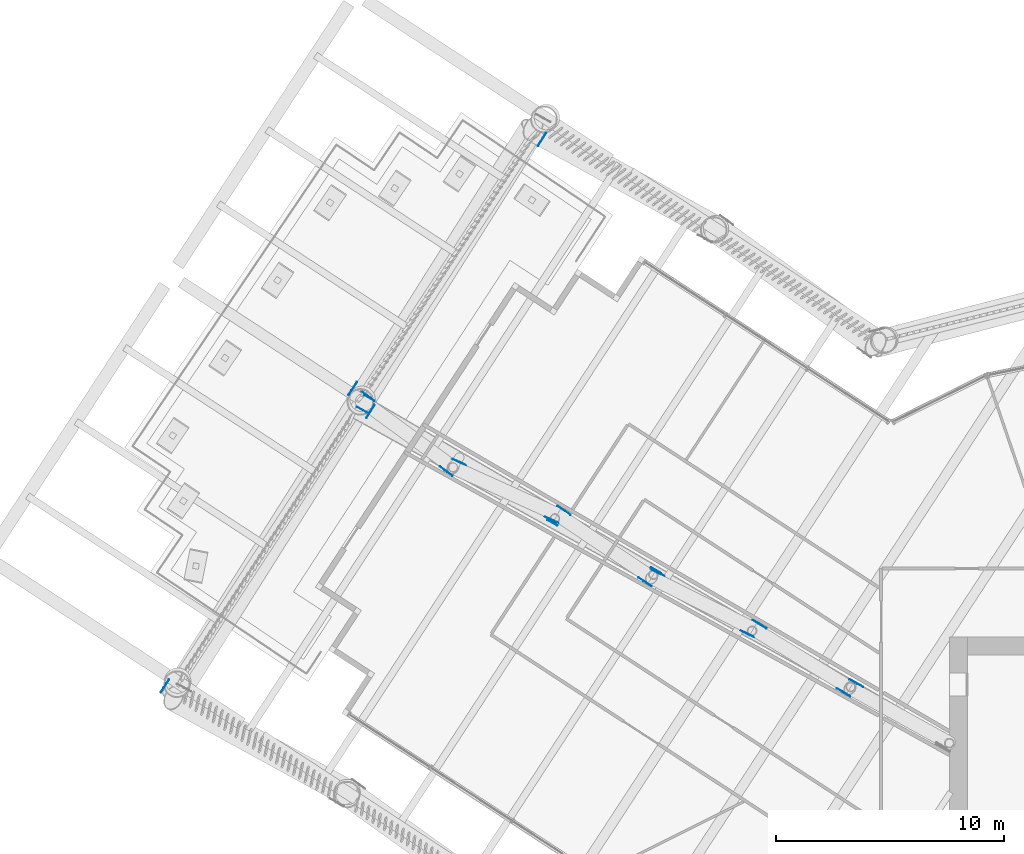
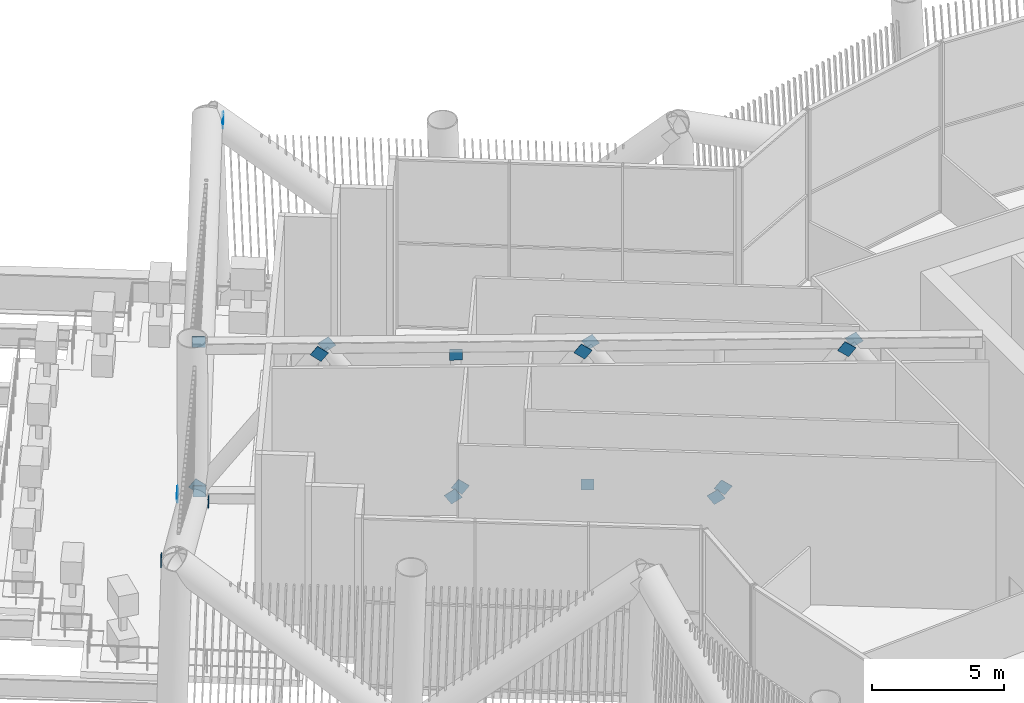
# One storey, part 48 of 63: 19 discrete accessories.
"""IFC4 building model written with IfcOpenShell, lengths in metres."""

import ifcopenshell
import ifcopenshell.guid

model = None  # the IFC model being written
_history = None  # IfcOwnerHistory: only IFC2X3 demands one
_inside = {}  # id of a spatial element -> (the spatial element, [elements in it])
_under = {}  # id of a project, library or spatial element -> (it, [spatial elements below it])
_declared = {}  # id of a project -> (the project, [libraries it declares])
_typed = {}  # id of a type object -> (the type object, [elements of that type])
_made_of = {}  # id of a material, layer set ... -> (it, [elements and type objects made of it])


def new_model(schema):
    """Start an empty IFC model of exactly this schema.

    Asked for "IFC4X3", IfcOpenShell would pick the latest addendum, in which some entities
    have other attributes; the version numbers below select the first issue.
    IFC2X3 requires an IfcOwnerHistory on every rooted entity: one is made here for all.
    """
    global model, _history
    if schema == "IFC4X3":
        model = ifcopenshell.file(schema_version=(4, 3, 0, 0))
    else:
        model = ifcopenshell.file(schema=schema)
    _inside.clear()
    _under.clear()
    _declared.clear()
    _typed.clear()
    _made_of.clear()
    _history = None
    if model.schema == "IFC2X3":
        org = make("IfcOrganization", Name="unknown")
        user = make(
            "IfcPersonAndOrganization",
            ThePerson=make("IfcPerson", FamilyName="unknown"),
            TheOrganization=org,
        )
        app = make(
            "IfcApplication",
            ApplicationDeveloper=org,
            Version="unknown",
            ApplicationFullName="unknown",
            ApplicationIdentifier="unknown",
        )
        _history = make(
            "IfcOwnerHistory",
            OwningUser=user,
            OwningApplication=app,
            ChangeAction="ADDED",
            CreationDate=0,
        )
    return model


def make(cls, **values):
    """One entity of the class cls with the attributes given. An attribute that is None is left unset."""
    return model.create_entity(
        cls, **{name: value for name, value in values.items() if value is not None}
    )


def rooted(cls, **values):
    """An entity with a GlobalId (a new one), such as an element, a storey or a relation."""
    return make(cls, GlobalId=ifcopenshell.guid.new(), OwnerHistory=_history, **values)


def si_unit(unit_type, name, prefix=None):
    """IfcSIUnit, for example si_unit("LENGTHUNIT", "METRE", prefix="MILLI")."""
    return make("IfcSIUnit", UnitType=unit_type, Prefix=prefix, Name=name)


def assignment(units):
    """IfcUnitAssignment: the units of a project."""
    return None if units is None else make("IfcUnitAssignment", Units=units)


def point(xyz):
    """IfcCartesianPoint."""
    return None if xyz is None else make("IfcCartesianPoint", Coordinates=xyz)


def direction(xyz):
    """IfcDirection."""
    return None if xyz is None else make("IfcDirection", DirectionRatios=xyz)


def frame(location, z_axis=None, x_axis=None):
    """IfcAxis2Placement3D, a coordinate frame: its origin and axes. An axis left out is left unset."""
    return make(
        "IfcAxis2Placement3D",
        Location=point(location),
        Axis=direction(z_axis),
        RefDirection=direction(x_axis),
    )


def frame_2d(location, x_axis=None):
    """IfcAxis2Placement2D, a coordinate frame in the plane: its origin and x axis."""
    return make(
        "IfcAxis2Placement2D", Location=point(location), RefDirection=direction(x_axis)
    )


def origin():
    """The frame at (0, 0, 0) with its axes left unset."""
    return frame((0.0, 0.0, 0.0))


def origin_2d():
    """The frame at (0, 0) in the plane with its x axis left unset."""
    return frame_2d((0.0, 0.0))


def place(relative_to, where):
    """IfcLocalPlacement: puts the frame where relative to a parent placement (None: the world)."""
    return make(
        "IfcLocalPlacement", PlacementRelTo=relative_to, RelativePlacement=where
    )


def context(
    kind, dimensions, precision=None, world=None, true_north=None, identifier=None
):
    """IfcGeometricRepresentationContext, for example the 3D "Model" context."""
    return make(
        "IfcGeometricRepresentationContext",
        ContextIdentifier=identifier,
        ContextType=kind,
        CoordinateSpaceDimension=dimensions,
        Precision=precision,
        WorldCoordinateSystem=world,
        TrueNorth=true_north,
    )


def subcontext(parent, identifier, kind, view, scale=None):
    """IfcGeometricRepresentationSubContext, for example "Body" below "Model"."""
    return make(
        "IfcGeometricRepresentationSubContext",
        ContextIdentifier=identifier,
        ContextType=kind,
        ParentContext=parent,
        TargetScale=scale,
        TargetView=view,
    )


def project(units=None, contexts=None):
    """IfcProject with its units and contexts."""
    return rooted(
        "IfcProject",
        Name="project",
        RepresentationContexts=contexts,
        UnitsInContext=assignment(units),
    )


def spatial(cls, under=None, at=None, **own):
    """A site, building, storey or space (cls), placed at a placement, below another one or the project."""
    s = rooted(cls, ObjectPlacement=at, **own)
    if under is not None:
        _under.setdefault(under.id(), (under, []))[1].append(s)
    return s


def profile(cls, at=None, kind="AREA", **sizes):
    """A parametric profile (cls). Its sizes go by their IFC names, for example OverallWidth=200.0."""
    return make(cls, ProfileType=kind, Position=at, **sizes)


def rectangle(**sizes):
    """IfcRectangleProfileDef."""
    return profile("IfcRectangleProfileDef", **sizes)


def extrude(swept, where, along, depth):
    """IfcExtrudedAreaSolid: the profile swept, set in the frame where, extruded along a direction by depth."""
    return make(
        "IfcExtrudedAreaSolid",
        SweptArea=swept,
        Position=where,
        ExtrudedDirection=direction(along),
        Depth=depth,
    )


def shape(context_of_items, identifier, shape_type, items):
    """IfcShapeRepresentation: the items that make up one representation, for example the "Body"."""
    return make(
        "IfcShapeRepresentation",
        ContextOfItems=context_of_items,
        RepresentationIdentifier=identifier,
        RepresentationType=shape_type,
        Items=items,
    )


def material(Name=None, Category=None):
    """IfcMaterial."""
    return make("IfcMaterial", Name=Name, Category=Category)


def material_profile(
    of_material, cross_section, Name=None, Category=None, Priority=None
):
    """IfcMaterialProfile: a cross section and its material."""
    return make(
        "IfcMaterialProfile",
        Name=Name,
        Material=of_material,
        Profile=cross_section,
        Priority=Priority,
        Category=Category,
    )


def profile_set(profiles, Name=None, composite=None):
    """IfcMaterialProfileSet."""
    return make(
        "IfcMaterialProfileSet",
        Name=Name,
        MaterialProfiles=profiles,
        CompositeProfile=composite,
    )


def made_of(thing, what):
    """Note that an element or type object is made of a material, layer set ...; save() writes the relation."""
    if what is not None:
        _made_of.setdefault(what.id(), (what, []))[1].append(thing)
    return thing


def type_object(cls, material=None, **own):
    """A type object (cls), such as IfcWallType, which elements share."""
    return made_of(rooted(cls, **own), material)


def element(
    cls,
    number,
    at=None,
    inside=None,
    cuts=None,
    type_object=None,
    material=None,
    context=None,
    identifier="Body",
    shape_type=None,
    held_by="IfcProductDefinitionShape",
    body=None,
    shapes=None,
    **own,
):
    """One element of the class cls, such as IfcWall. Its Tag is "e" and its number.

    at: its placement. inside: the storey or other place that contains it. cuts: it is an
    opening in that element (IfcRelVoidsElement). A single representation is given by context,
    identifier, shape_type and body (its items); several are given by shapes. held_by: the class
    of the entity that holds the representations. save() writes the other relations.
    """
    e = rooted(cls, Tag="e%d" % number, ObjectPlacement=at, **own)
    if body is not None:
        shapes = [shape(context, identifier, shape_type, body)]
    if shapes is not None:
        e.Representation = make(held_by, Representations=shapes)
    if inside is not None:
        _inside.setdefault(inside.id(), (inside, []))[1].append(e)
    if cuts is not None:
        rooted(
            "IfcRelVoidsElement", RelatingBuildingElement=cuts, RelatedOpeningElement=e
        )
    if type_object is not None:
        _typed.setdefault(type_object.id(), (type_object, []))[1].append(e)
    return made_of(e, material)


def aggregate(whole, parts):
    """IfcRelAggregates: a whole, such as a stair, and the parts it consists of."""
    return rooted("IfcRelAggregates", RelatingObject=whole, RelatedObjects=parts)


def save(model, path):
    """Write the relations noted so far, then the file.

    IfcRelAggregates (storeys below a building ...), IfcRelContainedInSpatialStructure (elements
    in a storey), IfcRelDefinesByType, IfcRelAssociatesMaterial and IfcRelDeclares: one each for
    every whole, place, type object, material and project.
    """
    for whole, parts in _under.values():
        aggregate(whole, parts)
    for where, things in _inside.values():
        rooted(
            "IfcRelContainedInSpatialStructure",
            RelatedElements=things,
            RelatingStructure=where,
        )
    for kind, things in _typed.values():
        rooted("IfcRelDefinesByType", RelatedObjects=things, RelatingType=kind)
    for what, things in _made_of.values():
        rooted("IfcRelAssociatesMaterial", RelatedObjects=things, RelatingMaterial=what)
    for by, libraries in _declared.values():
        rooted("IfcRelDeclares", RelatingContext=by, RelatedDefinitions=libraries)
    model.write(path)


model = new_model("IFC4")

# Units and contexts
model_context = context("Model", 3, precision=1e-05, world=origin(), true_north=direction((0.0, 1.0)))
body_context = subcontext(model_context, "Body", "Model", "MODEL_VIEW")
ifc_project = project(units=[si_unit("LENGTHUNIT", "METRE"), si_unit("AREAUNIT", "SQUARE_METRE"), si_unit("VOLUMEUNIT", "CUBIC_METRE"), si_unit("PLANEANGLEUNIT", "RADIAN"), si_unit("MASSUNIT", "GRAM", prefix="KILO")], contexts=[model_context])

# Site, building, storey
site_placement = place(None, origin())
site = spatial("IfcSite", under=ifc_project, at=site_placement, CompositionType="ELEMENT")
building_placement = place(site_placement, origin())
building = spatial("IfcBuilding", under=site, at=building_placement, Name="Tarsis Ring Headquarters", CompositionType="ELEMENT")
storey_placement = place(building_placement, frame((0.0, 0.0, 139.60009765625)))
storey = spatial("IfcBuildingStorey", under=building, at=storey_placement, Name="L32", CompositionType="ELEMENT", Elevation=139.60009765625)

# Discrete accessories
ifc_material = material(Name="Structural steel S355", Category="steel")
ifc_material_profile = material_profile(ifc_material, rectangle(XDim=0.02490234375, YDim=0.5, at=origin_2d()), Name="PL 25x500")
ifc_profile_set = profile_set([ifc_material_profile], Name="Structural steel S355")
discrete_accessory_type_1 = type_object("IfcDiscreteAccessoryType", Name="Gusset plate Belt truss 25", PredefinedType="BRACKET", material=ifc_profile_set)
discrete_accessory_1_placement = place(storey_placement, frame((-36.33447265625, 23.72900390625, 0.0), z_axis=(0.46401512316, 0.736074516423, 0.492832904493), x_axis=(-0.845942117827, 0.533274725903, 0.0)))
element("IfcDiscreteAccessory", 1, at=discrete_accessory_1_placement, inside=storey, type_object=discrete_accessory_type_1, Name="Gusset plate GP4", PredefinedType="BRACKET", context=body_context, shape_type="SweptSolid", body=[
    extrude(rectangle(XDim=0.02490234375, YDim=0.5, at=origin_2d()), origin(), (0.0, 0.0, 1.0), 0.499755859375),
])
discrete_accessory_2_placement = place(storey_placement, frame((-27.788818359375, 35.0419921875, 8.0), z_axis=(-0.46390341146, -0.735897306389, -0.493202574289), x_axis=(0.845942117827, -0.533274725903, 0.0)))
element("IfcDiscreteAccessory", 2, at=discrete_accessory_2_placement, inside=storey, type_object=discrete_accessory_type_1, Name="Gusset plate GP4", PredefinedType="BRACKET", context=body_context, shape_type="SweptSolid", body=[
    extrude(rectangle(XDim=0.02490234375, YDim=0.5, at=origin_2d()), origin(), (0.0, 0.0, 1.0), 0.5),
])
discrete_accessory_3_placement = place(storey_placement, frame((-35.325439453125, 23.092041015625, 0.0), z_axis=(-0.474257873923, -0.751193213279, 0.45911678835), x_axis=(0.845580341209, -0.53384818681, 0.0)))
element("IfcDiscreteAccessory", 3, at=discrete_accessory_3_placement, inside=storey, type_object=discrete_accessory_type_1, Name="Gusset plate GP4", PredefinedType="BRACKET", context=body_context, shape_type="SweptSolid", body=[
    extrude(rectangle(XDim=0.02490234375, YDim=0.5, at=origin_2d()), origin(), (0.0, 0.0, 1.0), 0.499755859375),
])
discrete_accessory_4_placement = place(storey_placement, frame((-44.597412109375, 10.648193359375, 8.0), z_axis=(0.474529903091, 0.750850813739, -0.459395718939), x_axis=(-0.845332140214, 0.534241118523, 0.0)))
element("IfcDiscreteAccessory", 4, at=discrete_accessory_4_placement, inside=storey, type_object=discrete_accessory_type_1, Name="Gusset plate GP4", PredefinedType="BRACKET", context=body_context, shape_type="SweptSolid", body=[
    extrude(rectangle(XDim=0.02490234375, YDim=0.5, at=origin_2d()), origin(), (0.0, 0.0, 1.0), 0.5),
])
discrete_accessory_type_2 = type_object("IfcDiscreteAccessoryType", Name="Gusset plate Outrigger 25", PredefinedType="BRACKET", material=ifc_profile_set)
for number, where, z_axis, x_axis, name in (
    (5, (-14.208251953125, 11.028564453125, 7.5859375), (0.491788631182, -0.272998852861, -0.826810479237), (0.485348028451, 0.874321045886, 0.0), "Gusset plate GP1"),
    (6, (-14.52783203125, 10.48046875, 7.5859375), (-0.479511851723, 0.2929807648, -0.827182359286), (-0.521379709297, -0.853324790882, 0.0), "Gusset plate GP1"),
    (7, (-18.448486328125, 13.619384765625, 0.25390625), (0.479887745036, -0.292912153633, 0.826988647091), (0.520993333897, 0.853560745369, 0.0), "Gusset plate GP1"),
    (8, (-18.75634765625, 13.0654296875, 0.25390625), (-0.503932562855, 0.253431201668, 0.825726709097), (-0.449290030734, -0.893385957066, 0.0), "Gusset plate GP1"),
    (9, (-22.944580078125, 15.884033203125, 7.5859375), (0.503870151625, -0.253888060897, -0.825624444185), (0.44998056339, 0.893038348881, 0.0), "Gusset plate GP1"),
    (10, (-23.263671875, 15.3369140625, 7.5859375), (-0.466859879618, 0.312542178824, -0.827260079575), (-0.556303887334, -0.830978931705, 0.0), "Gusset plate GP1"),
    (11, (-27.05126953125, 18.634521484375, 0.25390625), (0.467241656929, -0.312470909545, 0.827071438703), (0.555902289987, 0.831247642996, 0.0), "Gusset plate GP1"),
    (12, (-27.358642578125, 18.081787109375, 0.25390625), (-0.515648543584, 0.233897398084, 0.824256384063), (-0.413088090616, -0.910691072423, 0.0), "Gusset plate GP1"),
):
    element("IfcDiscreteAccessory", number, at=place(storey_placement, frame(where, z_axis=z_axis, x_axis=x_axis)), inside=storey, type_object=discrete_accessory_type_2, Name=name, PredefinedType="BRACKET", context=body_context, shape_type="SweptSolid", body=[
        extrude(rectangle(XDim=0.02490234375, YDim=0.5, at=origin_2d()), origin(), (0.0, 0.0, 1.0), 0.5),
    ])
discrete_accessory_5_placement = place(storey_placement, frame((-31.680908203125, 20.73876953125, 7.5859375), z_axis=(0.515441065401, -0.233803286295, -0.8244128404), x_axis=(0.413088090616, 0.910691072423, 0.0)))
element("IfcDiscreteAccessory", 13, at=discrete_accessory_5_placement, inside=storey, type_object=discrete_accessory_type_2, Name="Gusset plate GP1", PredefinedType="BRACKET", context=body_context, shape_type="SweptSolid", body=[
    extrude(rectangle(XDim=0.02490234375, YDim=0.5, at=origin_2d()), origin(), (0.0, 0.0, 1.0), 0.500244140625),
])
for number, where, z_axis, x_axis, name in (
    (14, (-31.9990234375, 20.193359375, 7.5859375), (-0.454529919987, 0.331987481838, -0.8265511864), (-0.589820846102, -0.807534129002, 0.0), "Gusset plate GP1"),
    (15, (-35.654296875, 23.64892578125, 0.25390625), (0.454603554777, -0.331552968522, 0.826685089407), (0.589254781174, 0.80794727728, 0.0), "Gusset plate GP1"),
):
    element("IfcDiscreteAccessory", number, at=place(storey_placement, frame(where, z_axis=z_axis, x_axis=x_axis)), inside=storey, type_object=discrete_accessory_type_2, Name=name, PredefinedType="BRACKET", context=body_context, shape_type="SweptSolid", body=[
        extrude(rectangle(XDim=0.02490234375, YDim=0.5, at=origin_2d()), origin(), (0.0, 0.0, 1.0), 0.5),
    ])
discrete_accessory_type_3 = type_object("IfcDiscreteAccessoryType", Name="Gusset plate Outrigger chord 25", PredefinedType="BRACKET", material=ifc_profile_set)
discrete_accessory_6_placement = place(storey_placement, frame((-35.707275390625, 23.623046875, 0.25390625), z_axis=(0.863885093979, -0.503688936151, 0.0), x_axis=(0.503688936151, 0.863885093979, 0.0)))
element("IfcDiscreteAccessory", 16, at=discrete_accessory_6_placement, inside=storey, type_object=discrete_accessory_type_3, Name="Gusset plate GP3", PredefinedType="BRACKET", context=body_context, shape_type="SweptSolid", body=[
    extrude(rectangle(XDim=0.02490234375, YDim=0.5, at=origin_2d()), origin(), (0.0, 0.0, 1.0), 0.500244140625),
])
for number, where, z_axis, x_axis, name in (
    (17, (-36.044921875, 23.107177734375, 7.5859375), (0.874042088414, -0.485850211157, 0.0), (0.485850211157, 0.874042088414, 0.0), "Gusset plate GP3"),
    (18, (-22.895263671875, 15.91650390625, 0.5078125), (0.0, 0.0, 1.0), (0.503667757366, 0.863897441939, 0.0), "Gusset plate GP3"),
    (19, (-27.443359375, 18.00927734375, 7.331787109375), (0.0, 0.0, -1.0), (-0.485802219132, -0.87406876382, 0.0), "Gusset plate GP3"),
):
    element("IfcDiscreteAccessory", number, at=place(storey_placement, frame(where, z_axis=z_axis, x_axis=x_axis)), inside=storey, type_object=discrete_accessory_type_3, Name=name, PredefinedType="BRACKET", context=body_context, shape_type="SweptSolid", body=[
        extrude(rectangle(XDim=0.02490234375, YDim=0.5, at=origin_2d()), origin(), (0.0, 0.0, 1.0), 0.5),
    ])

save(model, "model.ifc")
